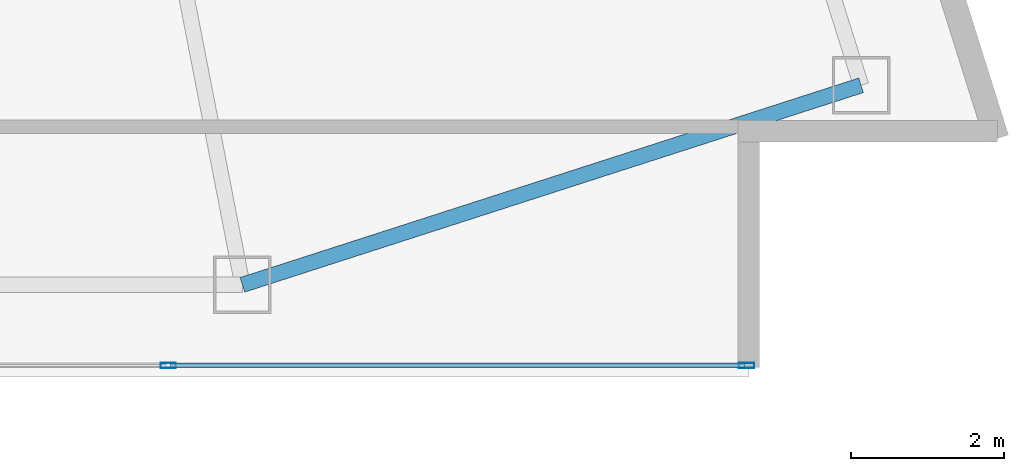
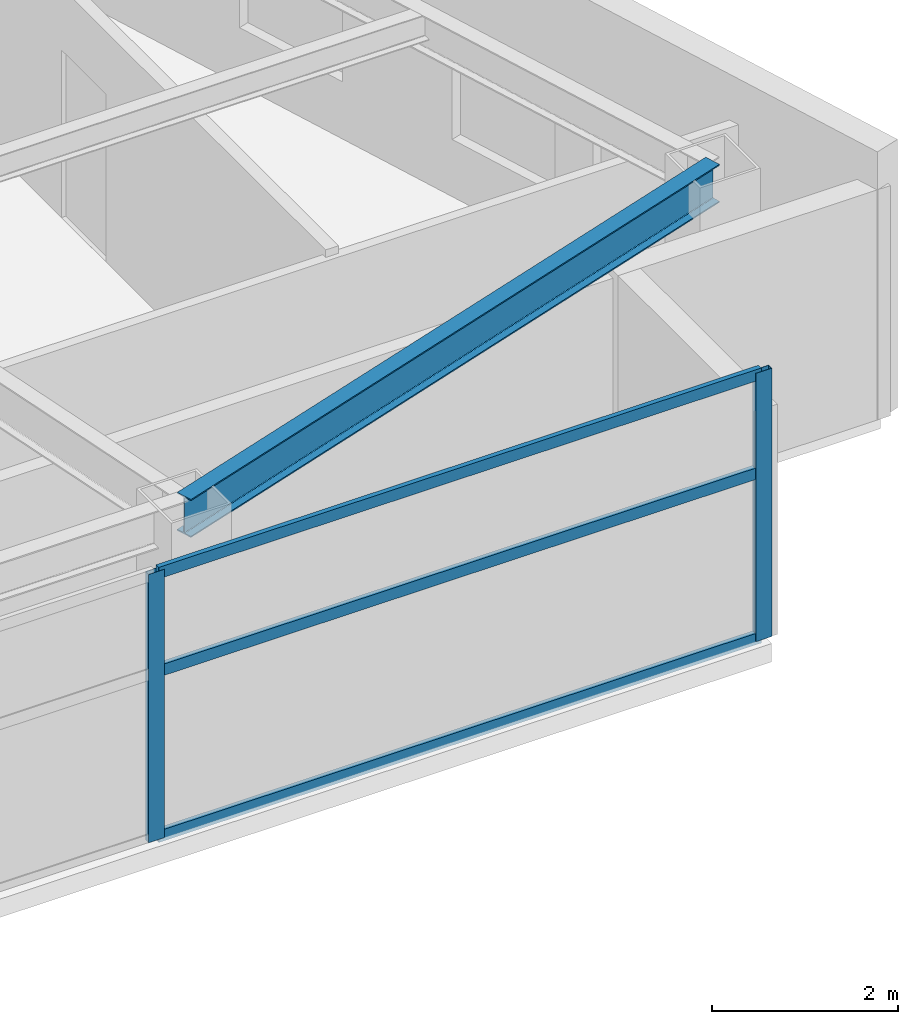
# One storey, part 14 of 28: 5 members, 1 beam, 1 element without a shape of its own.
"""IFC4 building model written with IfcOpenShell, lengths in metres."""

from ifc_helpers import new_model, si_unit, direction, frame, origin, origin_2d, place, context, subcontext, project, spatial, hollow_rectangle, i_section, extrude, material, layer, layer_set, material_profile, profile_set, type_object, element, aggregate, save


model = new_model("IFC4")

# Units and contexts
model_context = context("Model", 3, precision=1e-05, world=origin(), true_north=direction((0.0, 1.0)))
body_context = subcontext(model_context, "Body", "Model", "MODEL_VIEW")
ifc_project = project(units=[si_unit("LENGTHUNIT", "METRE"), si_unit("AREAUNIT", "SQUARE_METRE"), si_unit("VOLUMEUNIT", "CUBIC_METRE"), si_unit("PLANEANGLEUNIT", "RADIAN"), si_unit("MASSUNIT", "GRAM", prefix="KILO")], contexts=[model_context])

# Site, building, storey
site_placement = place(None, origin())
site = spatial("IfcSite", under=ifc_project, at=site_placement, CompositionType="ELEMENT")
building_placement = place(site_placement, origin())
building = spatial("IfcBuilding", under=site, at=building_placement, Name="Calvorn Quay Hotel", CompositionType="ELEMENT")
storey_placement = place(building_placement, frame((0.0, 0.0, 182.699951171875)))
storey = spatial("IfcBuildingStorey", under=building, at=storey_placement, Name="L45", CompositionType="ELEMENT", Elevation=182.699951171875)

# Beam
ifc_material_1 = material(Name="Steel Q355B", Category="steel")
ifc_material_profile_1 = material_profile(ifc_material_1, i_section(OverallWidth=0.199951171875, OverallDepth=0.5, WebThickness=0.010009765625, FlangeThickness=0.01611328125, FilletRadius=0.01611328125, at=origin_2d()), Name="HN500x200x10x16")
ifc_profile_set_1 = profile_set([ifc_material_profile_1], Name="Steel Q355B")
beam_type = type_object("IfcBeamType", Name="BM-SPANDREL-Z1", PredefinedType="SPANDREL", material=ifc_profile_set_1)
beam_placement = place(storey_placement, frame((49.39990234375, 3.60009765625, 3.27001953125), z_axis=(0.951725188386, 0.306951406237, 0.0), x_axis=(-0.306951406237, 0.951725188386, 0.0)))
element("IfcBeam", 1, at=beam_placement, inside=storey, type_object=beam_type, Name="Beam BSP-L45-S6", PredefinedType="SPANDREL", context=body_context, shape_type="SweptSolid", body=[
    extrude(i_section(OverallWidth=0.199951171875, OverallDepth=0.5, WebThickness=0.010009765625, FlangeThickness=0.01611328125, FilletRadius=0.01611328125, at=origin_2d()), origin(), (0.0, 0.0, 1.0), 8.469970703125),
])

# Curtain wall, members
ifc_material_2 = material(Name="Pale Anodised Aluminium and Low-E Glass", Category="aluminium")
ifc_layer = layer(ifc_material_2, 0.219970703125)
ifc_layer_set = layer_set([ifc_layer], Name="CW-SYS-Z2")
curtain_wall_type = type_object("IfcCurtainWallType", Name="CW-SYS-Z2", PredefinedType="NOTDEFINED", material=ifc_layer_set)
curtain_wall_placement = place(storey_placement, origin())
curtain_wall = element("IfcCurtainWall", 2, at=curtain_wall_placement, inside=storey, type_object=curtain_wall_type, Name="Tower South Waterfront Curtain Wall (L45)", PredefinedType="NOTDEFINED")
ifc_material_3 = material(Name="Pale Anodised Aluminium 6063-T6", Category="aluminium")
ifc_material_profile_2 = material_profile(ifc_material_3, hollow_rectangle(XDim=0.070068359375, YDim=0.199951171875, WallThickness=0.00390625, at=origin_2d()), Name="ALU-M200x70x4")
ifc_profile_set_2 = profile_set([ifc_material_profile_2], Name="Pale Anodised Aluminium 6063-T6")
member_type_1 = type_object("IfcMemberType", Name="CW-SYS-Z2-MUL", PredefinedType="MULLION", material=ifc_profile_set_2)
member_1_placement = place(storey_placement, frame((48.433349609375, 2.550048828125, 0.0), z_axis=(0.0, 0.0, 1.0), x_axis=(0.0, 1.0, 0.0)))
member_1 = element("IfcMember", 3, at=member_1_placement, type_object=member_type_1, Name="CW-L45-S mullion 6", PredefinedType="MULLION", context=body_context, shape_type="SweptSolid", body=[
    extrude(hollow_rectangle(XDim=0.070068359375, YDim=0.199951171875, WallThickness=0.00390625, at=origin_2d()), origin(), (0.0, 0.0, 1.0), 3.52001953125),
])
member_2_placement = place(storey_placement, frame((55.969970703125, 2.550048828125, 0.0), z_axis=(0.0, 0.0, 1.0), x_axis=(0.0, 1.0, 0.0)))
member_2 = element("IfcMember", 4, at=member_2_placement, type_object=member_type_1, Name="CW-L45-S mullion 7", PredefinedType="MULLION", context=body_context, shape_type="SweptSolid", body=[
    extrude(hollow_rectangle(XDim=0.070068359375, YDim=0.199951171875, WallThickness=0.00390625, at=origin_2d()), origin(), (0.0, 0.0, 1.0), 3.52001953125),
])
ifc_material_4 = material(Name="Pale Anodised Aluminium 6063-T6", Category="aluminium")
ifc_material_profile_3 = material_profile(ifc_material_4, hollow_rectangle(XDim=0.06005859375, YDim=0.14990234375, WallThickness=0.00341796875, at=origin_2d()), Name="ALU-T150x60x3.5")
ifc_profile_set_3 = profile_set([ifc_material_profile_3], Name="Pale Anodised Aluminium 6063-T6")
member_type_2 = type_object("IfcMemberType", Name="CW-SYS-Z2-TRN", PredefinedType="USERDEFINED", material=ifc_profile_set_3)
member_3_placement = place(storey_placement, frame((48.46337890625, 2.550048828125, 0.030029296875), z_axis=(1.0, 0.0, 0.0), x_axis=(0.0, 1.0, 0.0)))
member_3 = element("IfcMember", 5, at=member_3_placement, type_object=member_type_2, Name="CW-L45-S transom 6.1", ObjectType="TRANSOM", PredefinedType="USERDEFINED", context=body_context, shape_type="SweptSolid", body=[
    extrude(hollow_rectangle(XDim=0.06005859375, YDim=0.14990234375, WallThickness=0.00341796875, at=origin_2d()), origin(), (0.0, 0.0, 1.0), 7.4765625),
])
member_4_placement = place(storey_placement, frame((48.46337890625, 2.550048828125, 2.199951171875), z_axis=(1.0, 0.0, 0.0), x_axis=(0.0, 1.0, 0.0)))
member_4 = element("IfcMember", 6, at=member_4_placement, type_object=member_type_2, Name="CW-L45-S transom 6.2", ObjectType="TRANSOM", PredefinedType="USERDEFINED", context=body_context, shape_type="SweptSolid", body=[
    extrude(hollow_rectangle(XDim=0.06005859375, YDim=0.14990234375, WallThickness=0.00341796875, at=origin_2d()), origin(), (0.0, 0.0, 1.0), 7.4765625),
])
member_5_placement = place(storey_placement, frame((48.46337890625, 2.550048828125, 3.489990234375), z_axis=(1.0, 0.0, 0.0), x_axis=(0.0, 1.0, 0.0)))
member_5 = element("IfcMember", 7, at=member_5_placement, type_object=member_type_2, Name="CW-L45-S transom 6.3", ObjectType="TRANSOM", PredefinedType="USERDEFINED", context=body_context, shape_type="SweptSolid", body=[
    extrude(hollow_rectangle(XDim=0.06005859375, YDim=0.14990234375, WallThickness=0.00341796875, at=origin_2d()), origin(), (0.0, 0.0, 1.0), 7.4765625),
])
aggregate(curtain_wall, [member_1, member_2, member_3, member_4, member_5])

save(model, "model.ifc")
